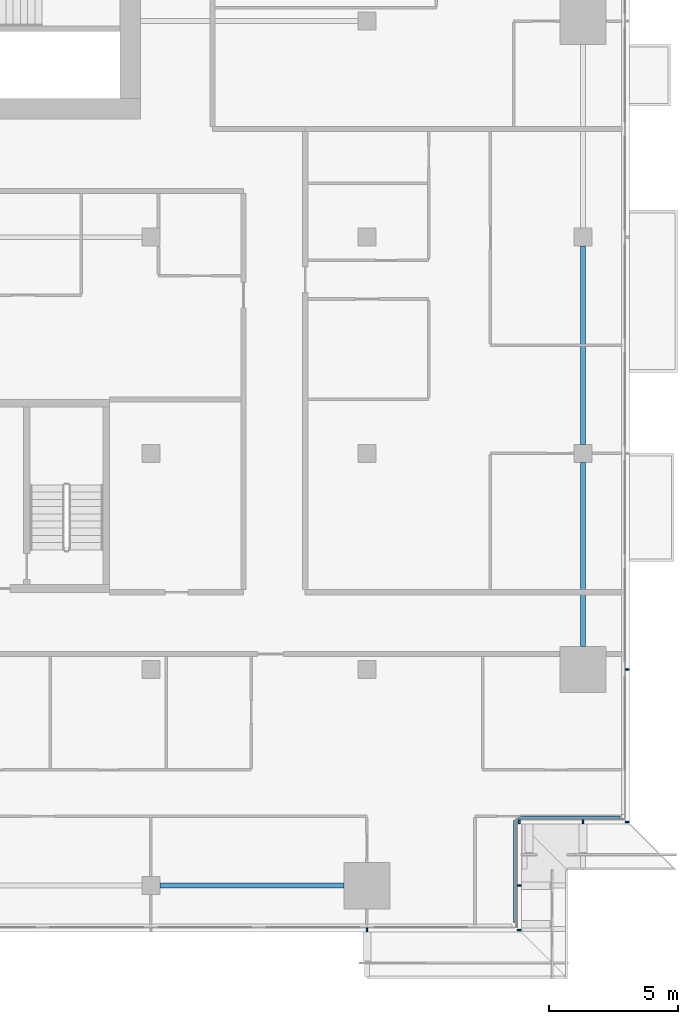
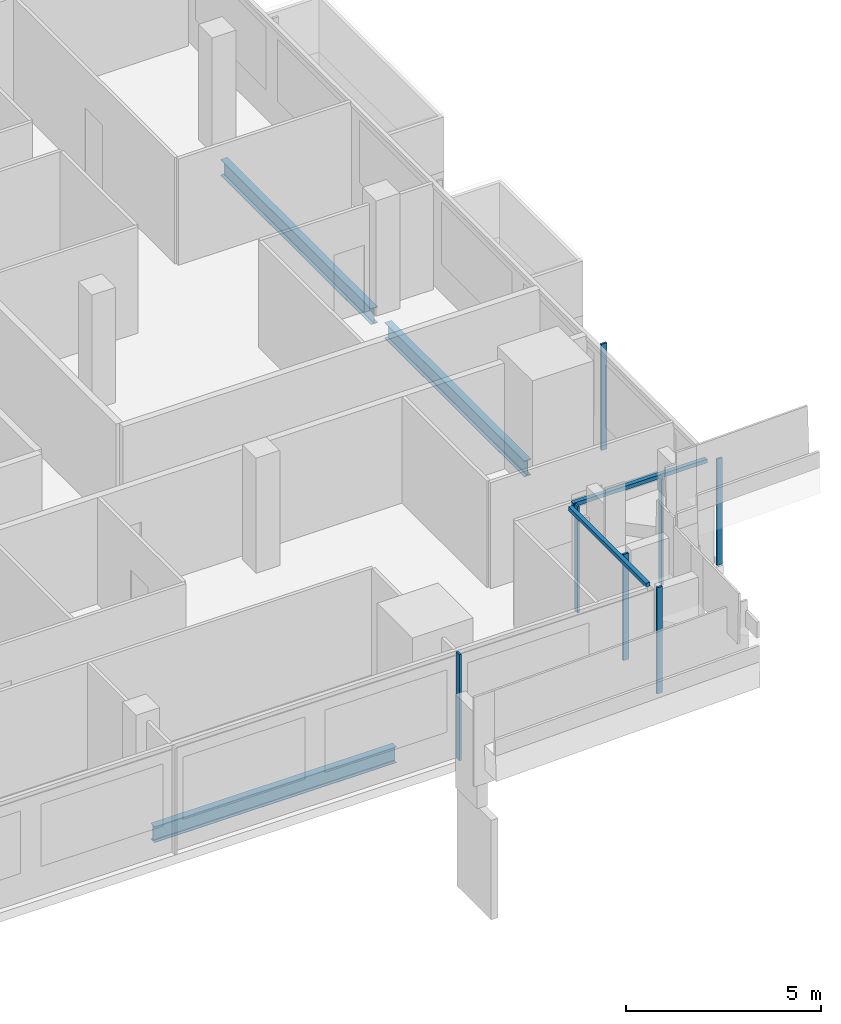
# One storey, part 11 of 30: 9 members, 3 beams, 4 elements without a shape of their own.
"""IFC4 building model written with IfcOpenShell, lengths in metres."""

from ifc_helpers import new_model, si_unit, direction, frame, origin, origin_2d, place, context, subcontext, project, spatial, rectangle, i_section, extrude, material, material_profile, profile_set, type_object, element, aggregate, save


model = new_model("IFC4")

# Units and contexts
model_context = context("Model", 3, precision=1e-05, world=origin(), true_north=direction((0.0, 1.0)))
body_context = subcontext(model_context, "Body", "Model", "MODEL_VIEW")
ifc_project = project(units=[si_unit("LENGTHUNIT", "METRE"), si_unit("AREAUNIT", "SQUARE_METRE"), si_unit("VOLUMEUNIT", "CUBIC_METRE"), si_unit("PLANEANGLEUNIT", "RADIAN"), si_unit("MASSUNIT", "GRAM", prefix="KILO")], contexts=[model_context])

# Site, building, storey
site_placement = place(None, origin())
site = spatial("IfcSite", under=ifc_project, at=site_placement, CompositionType="ELEMENT")
building_placement = place(site_placement, origin())
building = spatial("IfcBuilding", under=site, at=building_placement, Name="Saffron Gate Tower", CompositionType="ELEMENT")
storey_placement = place(building_placement, frame((0.0, 0.0, 158.25)))
storey = spatial("IfcBuildingStorey", under=building, at=storey_placement, Name="L38", CompositionType="ELEMENT", Elevation=158.25)

# Beams
ifc_material_1 = material(Name="Structural steel S355", Category="steel")
ifc_material_profile_1 = material_profile(ifc_material_1, i_section(OverallWidth=0.199951171875, OverallDepth=0.5, WebThickness=0.01025390625, FlangeThickness=0.01611328125, FilletRadius=0.02099609375, at=origin_2d()))
ifc_profile_set_1 = profile_set([ifc_material_profile_1], Name="Structural steel S355")
beam_type = type_object("IfcBeamType", Name="B11 IPE 500", PredefinedType="SPANDREL", material=ifc_profile_set_1)
beam_1_placement = place(storey_placement, frame((108.949951171875, 31.800048828125, -0.530029296875), z_axis=(1.0, 0.0, 0.0), x_axis=(0.0, 1.0, 0.0)))
element("IfcBeam", 1, at=beam_1_placement, inside=storey, type_object=beam_type, Name="B11 SPANDREL BEAM", PredefinedType="SPANDREL", context=body_context, shape_type="SweptSolid", body=[
    extrude(i_section(OverallWidth=0.199951171875, OverallDepth=0.5, WebThickness=0.01025390625, FlangeThickness=0.01611328125, FilletRadius=0.02099609375, at=origin_2d()), origin(), (0.0, 0.0, 1.0), 7.150146484375),
])
beam_2_placement = place(storey_placement, frame((125.39990234375, 41.10009765625, -0.530029296875), z_axis=(0.0, 1.0, 0.0), x_axis=(-1.0, 0.0, 0.0)))
element("IfcBeam", 2, at=beam_2_placement, inside=storey, type_object=beam_type, Name="B11 SPANDREL BEAM", PredefinedType="SPANDREL", context=body_context, shape_type="SweptSolid", body=[
    extrude(i_section(OverallWidth=0.199951171875, OverallDepth=0.5, WebThickness=0.01025390625, FlangeThickness=0.01611328125, FilletRadius=0.02099609375, at=origin_2d()), origin(), (0.0, 0.0, 1.0), 7.14990234375),
])
beam_3_placement = place(storey_placement, frame((125.39990234375, 48.949951171875, -0.530029296875), z_axis=(0.0, 1.0, 0.0), x_axis=(-1.0, 0.0, 0.0)))
element("IfcBeam", 3, at=beam_3_placement, inside=storey, type_object=beam_type, Name="B11 SPANDREL BEAM", PredefinedType="SPANDREL", context=body_context, shape_type="SweptSolid", body=[
    extrude(i_section(OverallWidth=0.199951171875, OverallDepth=0.5, WebThickness=0.01025390625, FlangeThickness=0.01611328125, FilletRadius=0.02099609375, at=origin_2d()), origin(), (0.0, 0.0, 1.0), 7.699951171875),
])

# Curtain wall, member
ifc_material_2 = material(Name="Aluminium, bronze anodised", Category="aluminium")
curtain_wall_type_1 = type_object("IfcCurtainWallType", Name="CWS1 curtain wall front facade", PredefinedType="NOTDEFINED", material=ifc_material_2)
curtain_wall_1_placement = place(storey_placement, origin())
curtain_wall_1 = element("IfcCurtainWall", 4, at=curtain_wall_1_placement, inside=storey, type_object=curtain_wall_type_1, Name="CWS1 run 1", PredefinedType="NOTDEFINED")
ifc_material_profile_2 = material_profile(ifc_material_2, rectangle(XDim=0.159912109375, YDim=0.06005859375, at=origin_2d()))
ifc_profile_set_2 = profile_set([ifc_material_profile_2], Name="Aluminium, bronze anodised")
member_type_1 = type_object("IfcMemberType", Name="CWS1 mullion 60x160", PredefinedType="MULLION", material=ifc_profile_set_2)
member_1_placement = place(storey_placement, frame((117.0, 30.080078125, 0.0), z_axis=(0.0, 0.0, 1.0), x_axis=(0.0, 1.0, 0.0)))
member_1 = element("IfcMember", 5, at=member_1_placement, type_object=member_type_1, Name="CWS1 mullion 9", PredefinedType="MULLION", context=body_context, shape_type="SweptSolid", body=[
    extrude(rectangle(XDim=0.159912109375, YDim=0.06005859375, at=origin_2d()), origin(), (0.0, 0.0, 1.0), 3.320068359375),
])
aggregate(curtain_wall_1, [member_1])

# Curtain wall, members
curtain_wall_type_2 = type_object("IfcCurtainWallType", Name="CWS2 curtain wall side facades", PredefinedType="NOTDEFINED", material=ifc_material_2)
curtain_wall_2_placement = place(storey_placement, origin())
curtain_wall_2 = element("IfcCurtainWall", 6, at=curtain_wall_2_placement, inside=storey, type_object=curtain_wall_type_2, Name="CWS2 run 4", PredefinedType="NOTDEFINED")
ifc_material_profile_3 = material_profile(ifc_material_2, rectangle(XDim=0.159912109375, YDim=0.06005859375, at=origin_2d()))
ifc_profile_set_3 = profile_set([ifc_material_profile_3], Name="Aluminium, bronze anodised")
member_type_2 = type_object("IfcMemberType", Name="CWS2 mullion 60x160", PredefinedType="MULLION", material=ifc_profile_set_3)
member_2_placement = place(storey_placement, frame((127.1201171875, 34.280029296875, 0.0), z_axis=(0.0, 0.0, 1.0), x_axis=(-1.0, 0.0, 0.0)))
member_2 = element("IfcMember", 7, at=member_2_placement, type_object=member_type_2, Name="CWS2 mullion 1", PredefinedType="MULLION", context=body_context, shape_type="SweptSolid", body=[
    extrude(rectangle(XDim=0.159912109375, YDim=0.06005859375, at=origin_2d()), origin(), (0.0, 0.0, 1.0), 3.320068359375),
])
member_3_placement = place(storey_placement, frame((127.1201171875, 40.199951171875, 0.0), z_axis=(0.0, 0.0, 1.0), x_axis=(-1.0, 0.0, 0.0)))
member_3 = element("IfcMember", 8, at=member_3_placement, type_object=member_type_2, Name="CWS2 mullion 2", PredefinedType="MULLION", context=body_context, shape_type="SweptSolid", body=[
    extrude(rectangle(XDim=0.159912109375, YDim=0.06005859375, at=origin_2d()), origin(), (0.0, 0.0, 1.0), 3.320068359375),
])
aggregate(curtain_wall_2, [member_2, member_3])

# Curtain wall, member
curtain_wall_type_3 = type_object("IfcCurtainWallType", Name="CWS4 curtain wall corner returns", PredefinedType="NOTDEFINED", material=ifc_material_2)
curtain_wall_3_placement = place(storey_placement, origin())
curtain_wall_3 = element("IfcCurtainWall", 9, at=curtain_wall_3_placement, inside=storey, type_object=curtain_wall_type_3, Name="CWS4 run 2", PredefinedType="NOTDEFINED")
ifc_material_profile_4 = material_profile(ifc_material_2, rectangle(XDim=0.1201171875, YDim=0.1201171875, at=origin_2d()))
ifc_profile_set_4 = profile_set([ifc_material_profile_4], Name="Aluminium, bronze anodised")
member_type_3 = type_object("IfcMemberType", Name="CWS4 head transom", PredefinedType="USERDEFINED", material=ifc_profile_set_4)
member_4_placement = place(storey_placement, frame((122.751953125, 30.367919921875, 3.260009765625), z_axis=(0.0, 1.0, 0.0), x_axis=(-1.0, 0.0, 0.0)))
member_4 = element("IfcMember", 10, at=member_4_placement, type_object=member_type_3, Name="CWS4 head transom", ObjectType="TRANSOM", PredefinedType="USERDEFINED", context=body_context, shape_type="SweptSolid", body=[
    extrude(rectangle(XDim=0.1201171875, YDim=0.1201171875, at=origin_2d()), origin(), (0.0, 0.0, 1.0), 3.9599609375),
])

curtain_wall_4_placement = place(storey_placement, origin())
curtain_wall_4 = element("IfcCurtainWall", 11, at=curtain_wall_4_placement, inside=storey, type_object=curtain_wall_type_3, Name="CWS4 run 3", PredefinedType="NOTDEFINED")
member_5_placement = place(storey_placement, frame((122.8720703125, 34.447998046875, 3.260009765625), z_axis=(1.0, 0.0, 0.0), x_axis=(0.0, 1.0, 0.0)))
member_5 = element("IfcMember", 12, at=member_5_placement, type_object=member_type_3, Name="CWS4 head transom", ObjectType="TRANSOM", PredefinedType="USERDEFINED", context=body_context, shape_type="SweptSolid", body=[
    extrude(rectangle(XDim=0.1201171875, YDim=0.1201171875, at=origin_2d()), origin(), (0.0, 0.0, 1.0), 3.9599609375),
])

# Member
ifc_material_profile_5 = material_profile(ifc_material_2, rectangle(XDim=0.159912109375, YDim=0.06005859375, at=origin_2d()))
ifc_profile_set_5 = profile_set([ifc_material_profile_5], Name="Aluminium, bronze anodised")
member_type_4 = type_object("IfcMemberType", Name="CWS4 mullion 60x160", PredefinedType="MULLION", material=ifc_profile_set_5)
member_6_placement = place(storey_placement, frame((122.919921875, 30.080078125, 0.0), z_axis=(0.0, 0.0, 1.0), x_axis=(-1.0, 0.0, 0.0)))
member_6 = element("IfcMember", 13, at=member_6_placement, type_object=member_type_4, Name="CWS4 mullion 1", PredefinedType="MULLION", context=body_context, shape_type="SweptSolid", body=[
    extrude(rectangle(XDim=0.159912109375, YDim=0.06005859375, at=origin_2d()), origin(), (0.0, 0.0, 1.0), 3.320068359375),
])

member_7_placement = place(storey_placement, frame((122.919921875, 31.800048828125, 0.0), z_axis=(0.0, 0.0, 1.0), x_axis=(-1.0, 0.0, 0.0)))
member_7 = element("IfcMember", 14, at=member_7_placement, type_object=member_type_4, Name="CWS4 mullion 2", PredefinedType="MULLION", context=body_context, shape_type="SweptSolid", body=[
    extrude(rectangle(XDim=0.159912109375, YDim=0.06005859375, at=origin_2d()), origin(), (0.0, 0.0, 1.0), 3.320068359375),
])

aggregate(curtain_wall_3, [member_6, member_7, member_4])

member_8_placement = place(storey_placement, frame((122.919921875, 34.280029296875, 0.0), z_axis=(0.0, 0.0, 1.0), x_axis=(0.0, 1.0, 0.0)))
member_8 = element("IfcMember", 15, at=member_8_placement, type_object=member_type_4, Name="CWS4 mullion 1", PredefinedType="MULLION", context=body_context, shape_type="SweptSolid", body=[
    extrude(rectangle(XDim=0.159912109375, YDim=0.06005859375, at=origin_2d()), origin(), (0.0, 0.0, 1.0), 3.320068359375),
])

member_9_placement = place(storey_placement, frame((125.39990234375, 34.280029296875, 0.0), z_axis=(0.0, 0.0, 1.0), x_axis=(0.0, 1.0, 0.0)))
member_9 = element("IfcMember", 16, at=member_9_placement, type_object=member_type_4, Name="CWS4 mullion 2", PredefinedType="MULLION", context=body_context, shape_type="SweptSolid", body=[
    extrude(rectangle(XDim=0.159912109375, YDim=0.06005859375, at=origin_2d()), origin(), (0.0, 0.0, 1.0), 3.320068359375),
])

aggregate(curtain_wall_4, [member_8, member_9, member_5])

save(model, "model.ifc")
